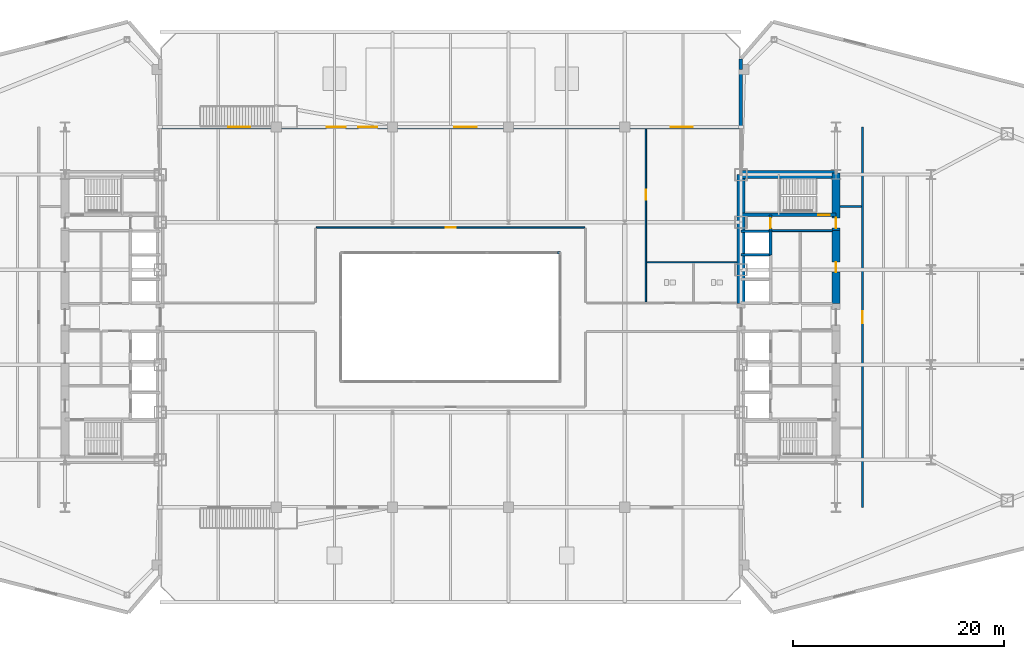
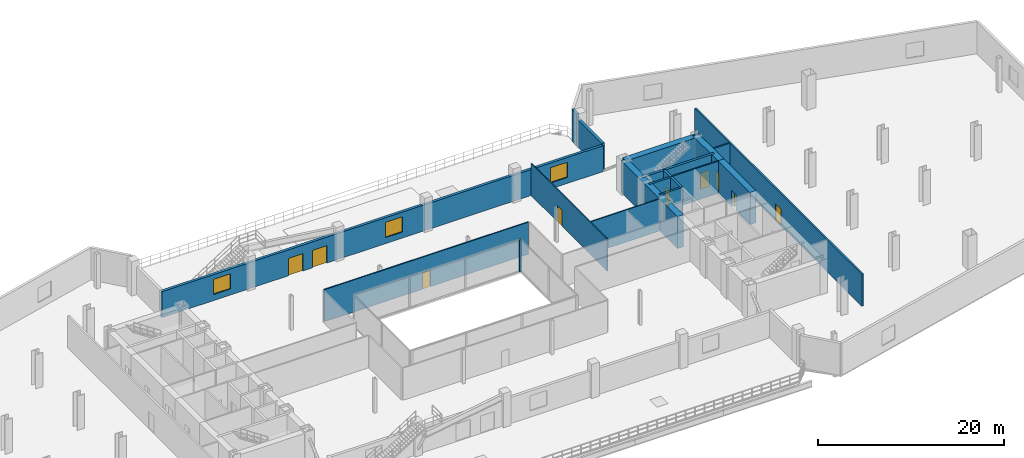
# One storey, part 21 of 27: 19 walls, 9 doors, 3 windows, 12 openings.
"""IFC4 building model written with IfcOpenShell, lengths in metres."""

from ifc_helpers import new_model, si_unit, direction, frame, frame_2d, origin, place, context, subcontext, project, spatial, rectangle, extrude, source, transform, mapped, material, layer, layer_set, type_object, type_shapes, element, fill, save


model = new_model("IFC4")

# Units and contexts
model_context = context("Model", 3, precision=1e-05, world=origin(), true_north=direction((0.0, 1.0)))
body_context = subcontext(model_context, "Body", "Model", "MODEL_VIEW")
ifc_project = project(units=[si_unit("LENGTHUNIT", "METRE"), si_unit("AREAUNIT", "SQUARE_METRE"), si_unit("VOLUMEUNIT", "CUBIC_METRE"), si_unit("PLANEANGLEUNIT", "RADIAN"), si_unit("MASSUNIT", "GRAM", prefix="KILO")], contexts=[model_context])

# Site, building, storey
site_placement = place(None, origin())
site = spatial("IfcSite", under=ifc_project, at=site_placement, CompositionType="ELEMENT")
building_placement = place(site_placement, origin())
building = spatial("IfcBuilding", under=site, at=building_placement, Name="Seokmaru Belvedere", CompositionType="ELEMENT")
storey_placement = place(building_placement, frame((0.0, 0.0, 9.89990234375)))
storey = spatial("IfcBuildingStorey", under=building, at=storey_placement, Name="L02", CompositionType="ELEMENT", Elevation=9.89990234375)

# Wall, opening, door
ifc_material_1 = material(Name="Fire-Rated Gypsum Shaftwall")
ifc_layer_1 = layer(ifc_material_1, 0.14990234375)
ifc_layer_set_1 = layer_set([ifc_layer_1], Name="Fire-Rated Gypsum Shaftwall")
wall_type_1 = type_object("IfcWallType", Name="Apartment Fire-Acoustic Room Partition 150", PredefinedType="PARTITIONING", material=ifc_layer_set_1)
wall_1_placement = place(storey_placement, frame((-12.715087890625, 8.5, 0.0), z_axis=(0.0, 0.0, 1.0), x_axis=(1.0, 0.0, 0.0)))
wall_1 = element("IfcWall", 1, at=wall_1_placement, inside=storey, type_object=wall_type_1, Name="L02 Interior Partition 009", PredefinedType="PARTITIONING", context=body_context, shape_type="SweptSolid", body=[
    extrude(rectangle(XDim=25.43017578125, YDim=0.14990234375, at=frame_2d((12.715087890625, 0.0))), origin(), (0.0, 0.0, 1.0), 4.22021484375),
])
opening_1_placement = place(wall_1_placement, frame((12.239990234375, 0.0, 0.0)))
opening_1 = element("IfcOpeningElement", 2, at=opening_1_placement, cuts=wall_1, Name="Opening D05", PredefinedType="OPENING", context=body_context, shape_type="SweptSolid", body=[
    extrude(rectangle(XDim=0.949951171875, YDim=2.14990234375, at=frame_2d((0.47509765625, 1.074951171875))), frame((0.0, 0.0849609375, 0.0), z_axis=(0.0, -1.0, 0.0), x_axis=(1.0, 0.0, 0.0)), (0.0, 0.0, 1.0), 0.169921875),
])
ifc_material_2 = material(Name="Engineered White Oak Timber", Category="wood")
door_type_1 = type_object("IfcDoorType", Name="Apartment Interior Fire-Rated Oak Door 950x2150", OperationType="NOTDEFINED", PredefinedType="DOOR", material=ifc_material_2)
shared_shape_1 = source(origin(), body_context, "Body", "SweptSolid", [
    extrude(rectangle(XDim=0.949951171875, YDim=2.14990234375, at=frame_2d((0.47509765625, 1.074951171875))), frame((0.0, 0.02490234375, 0.0), z_axis=(0.0, -1.0, 0.0), x_axis=(1.0, 0.0, 0.0)), (0.0, 0.0, 1.0), 0.050048828125),
])
type_shapes(door_type_1, [shared_shape_1])
door_1_placement = place(opening_1_placement, origin())
door_1 = element("IfcDoor", 3, at=door_1_placement, inside=storey, type_object=door_type_1, Name="L02 Interior Door 003", OperationType="SINGLE_SWING_LEFT", OverallHeight=2.14990234375, OverallWidth=0.949951171875, PredefinedType="DOOR", context=body_context, shape_type="MappedRepresentation", body=[
    mapped(shared_shape_1, transform((0.0, 0.0, 0.0), scale=1.0)),
])
fill(opening_1, door_1)

# Walls
ifc_material_3 = material(Name="Anodised Bronze Aluminium", Category="aluminium")
ifc_layer_2 = layer(ifc_material_3, 0.2099609375)
ifc_layer_set_2 = layer_set([ifc_layer_2], Name="Anodised Bronze Aluminium")
wall_type_2 = type_object("IfcWallType", Name="Bridge Column Spandrel Closure Pier 210", PredefinedType="SOLIDWALL", material=ifc_layer_set_2)
wall_2_placement = place(storey_placement, frame((10.39990234375, 6.10009765625, 0.0), z_axis=(0.0, 0.0, 1.0), x_axis=(-1.0, 0.0, 0.0)))
element("IfcWall", 4, at=wall_2_placement, inside=storey, type_object=wall_type_2, Name="L02 Atrium Corner Closure Pier 3", PredefinedType="SOLIDWALL", context=body_context, shape_type="SweptSolid", body=[
    extrude(rectangle(XDim=0.25, YDim=0.2099609375, at=frame_2d((0.125, 0.0))), origin(), (0.0, 0.0, 1.0), 4.22021484375),
])
ifc_layer_3 = layer(ifc_material_1, 0.179931640625)
ifc_layer_set_3 = layer_set([ifc_layer_3], Name="Fire-Rated Gypsum Shaftwall")
wall_type_3 = type_object("IfcWallType", Name="Core Service Fire Partition 180", PredefinedType="PARTITIONING", material=ifc_layer_set_3)
wall_3_placement = place(storey_placement, frame((30.449951171875, 8.199951171875, 0.0), z_axis=(0.0, 0.0, 1.0), x_axis=(1.0, 0.0, 0.0)))
element("IfcWall", 5, at=wall_3_placement, inside=storey, type_object=wall_type_3, Name="L02 East Smokeproof Vestibule Partition", PredefinedType="PARTITIONING", context=body_context, shape_type="SweptSolid", body=[
    extrude(rectangle(XDim=5.699951171875, YDim=0.179931640625, at=frame_2d((2.85009765625, 0.0))), origin(), (0.0, 0.0, 1.0), 4.22021484375),
])
ifc_material_4 = material(Name="Concrete C50 (50 MPa)", Category="concrete")
ifc_layer_4 = layer(ifc_material_4, 0.25)
ifc_layer_set_4 = layer_set([ifc_layer_4], Name="Concrete C50 (50 MPa)")
wall_type_4 = type_object("IfcWallType", Name="Hoistway Transverse Concrete Divider Wall 250", PredefinedType="SHEAR", material=ifc_layer_set_4)
for number, where, z_axis, x_axis, name in (
    (6, (27.5, 5.89990234375, 0.0), (0.0, 0.0, 1.0), (1.0, 0.0, 0.0), "L02 East Hoistway Divider Core Wall 6"),
    (7, (27.5, 8.14990234375, 0.0), (0.0, 0.0, 1.0), (1.0, 0.0, 0.0), "L02 East Hoistway Divider Core Wall 7"),
):
    element("IfcWall", number, at=place(storey_placement, frame(where, z_axis=z_axis, x_axis=x_axis)), inside=storey, type_object=wall_type_4, Name=name, PredefinedType="SHEAR", context=body_context, shape_type="SweptSolid", body=[
        extrude(rectangle(XDim=2.800048828125, YDim=0.25, at=frame_2d((1.39990234375, 0.0))), origin(), (0.0, 0.0, 1.0), 4.22021484375),
    ])
ifc_layer_5 = layer(ifc_material_1, 0.199951171875)
ifc_layer_set_5 = layer_set([ifc_layer_5], Name="Fire-Rated Gypsum Shaftwall")
wall_type_5 = type_object("IfcWallType", Name="Inter-Tenancy Fire Compartment Partition 200", PredefinedType="PARTITIONING", material=ifc_layer_set_5)
wall_4_placement = place(storey_placement, frame((36.8798828125, 10.5, 0.0), z_axis=(0.0, 0.0, 1.0), x_axis=(1.0, 0.0, 0.0)))
element("IfcWall", 8, at=wall_4_placement, inside=storey, type_object=wall_type_5, Name="L02 Interior Partition 011", PredefinedType="PARTITIONING", context=body_context, shape_type="SweptSolid", body=[
    extrude(rectangle(XDim=2.03515625, YDim=0.199951171875, at=frame_2d((1.017578125, 0.0))), origin(), (0.0, 0.0, 1.0), 4.22021484375),
])

# Wall, opening, door
wall_5_placement = place(storey_placement, frame((39.0, -18.0, 0.0), z_axis=(0.0, 0.0, 1.0), x_axis=(0.0, 1.0, 0.0)))
wall_5 = element("IfcWall", 9, at=wall_5_placement, inside=storey, type_object=wall_type_5, Name="L02 Interior Partition 019", PredefinedType="PARTITIONING", context=body_context, shape_type="SweptSolid", body=[
    extrude(rectangle(XDim=36.0, YDim=0.199951171875, at=frame_2d((18.0, 0.0))), origin(), (0.0, 0.0, 1.0), 4.22021484375),
])
opening_2_placement = place(wall_5_placement, frame((17.425048828125, 0.0, 0.0)))
opening_2 = element("IfcOpeningElement", 10, at=opening_2_placement, cuts=wall_5, Name="Opening D02", PredefinedType="OPENING", context=body_context, shape_type="SweptSolid", body=[
    extrude(rectangle(XDim=1.14990234375, YDim=2.199951171875, at=frame_2d((0.574951171875, 1.10009765625))), frame((0.0, 0.10986328125, 0.0), z_axis=(0.0, -1.0, 0.0), x_axis=(1.0, 0.0, 0.0)), (0.0, 0.0, 1.0), 0.219970703125),
])
ifc_material_5 = material(Name="Fire-Rated Steel Leaf", Category="steel")
door_type_2 = type_object("IfcDoorType", Name="Lobby and Vestibule Fire Door 1150x2200", OperationType="NOTDEFINED", PredefinedType="DOOR", material=ifc_material_5)
shared_shape_2 = source(origin(), body_context, "Body", "SweptSolid", [
    extrude(rectangle(XDim=1.14990234375, YDim=2.199951171875, at=frame_2d((0.574951171875, 1.10009765625))), frame((0.0, 0.02490234375, 0.0), z_axis=(0.0, -1.0, 0.0), x_axis=(1.0, 0.0, 0.0)), (0.0, 0.0, 1.0), 0.050048828125),
])
type_shapes(door_type_2, [shared_shape_2])
door_2_placement = place(opening_2_placement, origin())
door_2 = element("IfcDoor", 11, at=door_2_placement, inside=storey, type_object=door_type_2, Name="L02 Interior Door 002", OperationType="SINGLE_SWING_RIGHT", OverallHeight=2.199951171875, OverallWidth=1.14990234375, PredefinedType="DOOR", context=body_context, shape_type="MappedRepresentation", body=[
    mapped(shared_shape_2, transform((0.0, 0.0, 0.0), scale=1.0)),
])
fill(opening_2, door_2)

ifc_layer_6 = layer(ifc_material_4, 0.300048828125)
ifc_layer_set_6 = layer_set([ifc_layer_6], Name="Concrete C50 (50 MPa)")
wall_type_6 = type_object("IfcWallType", Name="Internal Core Stair and Hoistway Wall 300", PredefinedType="SHEAR", material=ifc_layer_set_6)
wall_6_placement = place(storey_placement, frame((27.5, 9.699951171875, 0.0), z_axis=(0.0, 0.0, 1.0), x_axis=(1.0, 0.0, 0.0)))
wall_6 = element("IfcWall", 12, at=wall_6_placement, inside=storey, type_object=wall_type_6, Name="L02 East Stair ST-2 Enclosure Wall", PredefinedType="SHEAR", context=body_context, shape_type="SweptSolid", body=[
    extrude(rectangle(XDim=9.0, YDim=0.300048828125, at=frame_2d((4.5, 0.0))), origin(), (0.0, 0.0, 1.0), 4.22021484375),
])
opening_3_placement = place(wall_6_placement, frame((7.300048828125, 0.0, 0.0)))
opening_3 = element("IfcOpeningElement", 13, at=opening_3_placement, cuts=wall_6, Name="Opening D01", PredefinedType="OPENING", context=body_context, shape_type="SweptSolid", body=[
    extrude(rectangle(XDim=1.10009765625, YDim=2.199951171875, at=frame_2d((0.550048828125, 1.10009765625))), frame((0.0, 0.16015625, 0.0), z_axis=(0.0, -1.0, 0.0), x_axis=(1.0, 0.0, 0.0)), (0.0, 0.0, 1.0), 0.320068359375),
])
door_type_3 = type_object("IfcDoorType", Name="Special Escape Stair Smokeproof Fire Door 1100x2200", OperationType="NOTDEFINED", PredefinedType="DOOR", material=ifc_material_5)
shared_shape_3 = source(origin(), body_context, "Body", "SweptSolid", [
    extrude(rectangle(XDim=1.10009765625, YDim=2.199951171875, at=frame_2d((0.550048828125, 1.10009765625))), frame((0.0, 0.02490234375, 0.0), z_axis=(0.0, -1.0, 0.0), x_axis=(1.0, 0.0, 0.0)), (0.0, 0.0, 1.0), 0.050048828125),
])
type_shapes(door_type_3, [shared_shape_3])
door_3_placement = place(opening_3_placement, origin())
door_3 = element("IfcDoor", 14, at=door_3_placement, inside=storey, type_object=door_type_3, Name="L02 East Special Escape Stair ST-2 Door", OperationType="SINGLE_SWING_LEFT", OverallHeight=2.199951171875, OverallWidth=1.10009765625, PredefinedType="DOOR", context=body_context, shape_type="MappedRepresentation", body=[
    mapped(shared_shape_3, transform((0.0, 0.0, 0.0), scale=1.0)),
])
fill(opening_3, door_3)

# Wall
wall_7_placement = place(storey_placement, frame((30.300048828125, 5.89990234375, 0.0), z_axis=(0.0, 0.0, 1.0), x_axis=(0.0, 1.0, 0.0)))
element("IfcWall", 15, at=wall_7_placement, inside=storey, type_object=wall_type_6, Name="L02 East North Hoistway Wall OBS", PredefinedType="SHEAR", context=body_context, shape_type="SweptSolid", body=[
    extrude(rectangle(XDim=2.25, YDim=0.300048828125, at=frame_2d((1.125, 0.0))), origin(), (0.0, 0.0, 1.0), 4.22021484375),
])

# Wall, opening, door
wall_8_placement = place(storey_placement, frame((30.300048828125, 8.14990234375, 0.0), z_axis=(0.0, 0.0, 1.0), x_axis=(0.0, 1.0, 0.0)))
wall_8 = element("IfcWall", 16, at=wall_8_placement, inside=storey, type_object=wall_type_6, Name="L02 East Electrical Riser Front Wall", PredefinedType="SHEAR", context=body_context, shape_type="SweptSolid", body=[
    extrude(rectangle(XDim=1.530029296875, YDim=0.300048828125, at=frame_2d((0.76513671875, 0.0))), origin(), (0.0, 0.0, 1.0), 4.22021484375),
])
opening_4_placement = place(wall_8_placement, frame((0.284912109375, 0.0, 0.0)))
opening_4 = element("IfcOpeningElement", 17, at=opening_4_placement, cuts=wall_8, Name="Opening D04", PredefinedType="OPENING", context=body_context, shape_type="SweptSolid", body=[
    extrude(rectangle(XDim=0.949951171875, YDim=2.14990234375, at=frame_2d((0.47509765625, 1.074951171875))), frame((0.0, 0.16015625, 0.0), z_axis=(0.0, -1.0, 0.0), x_axis=(1.0, 0.0, 0.0)), (0.0, 0.0, 1.0), 0.320068359375),
])
door_type_4 = type_object("IfcDoorType", Name="Core Service Room Fire Door 950x2150", OperationType="NOTDEFINED", PredefinedType="DOOR", material=ifc_material_5)
shared_shape_4 = source(origin(), body_context, "Body", "SweptSolid", [
    extrude(rectangle(XDim=0.949951171875, YDim=2.14990234375, at=frame_2d((0.47509765625, 1.074951171875))), frame((0.0, 0.02490234375, 0.0), z_axis=(0.0, -1.0, 0.0), x_axis=(1.0, 0.0, 0.0)), (0.0, 0.0, 1.0), 0.050048828125),
])
type_shapes(door_type_4, [shared_shape_4])
door_4_placement = place(opening_4_placement, origin())
door_4 = element("IfcDoor", 18, at=door_4_placement, inside=storey, type_object=door_type_4, Name="L02 East Electrical Riser Access Door", OperationType="SINGLE_SWING_RIGHT", OverallHeight=2.14990234375, OverallWidth=0.949951171875, PredefinedType="DOOR", context=body_context, shape_type="MappedRepresentation", body=[
    mapped(shared_shape_4, transform((0.0, 0.0, 0.0), scale=1.0)),
])
fill(opening_4, door_4)

# Walls
ifc_material_6 = material(Name="Concrete C60 (60 MPa)", Category="concrete")
ifc_layer_7 = layer(ifc_material_6, 0.75)
ifc_layer_set_7 = layer_set([ifc_layer_7], Name="Concrete C60 (60 MPa)")
wall_type_7 = type_object("IfcWallType", Name="Lower Tower Reinforced Concrete Core Wall 750", PredefinedType="SHEAR", material=ifc_layer_set_7)
wall_9_placement = place(storey_placement, frame((27.5, 1.300048828125, 0.0), z_axis=(0.0, 0.0, 1.0), x_axis=(0.0, 1.0, 0.0)))
element("IfcWall", 19, at=wall_9_placement, inside=storey, type_object=wall_type_7, Name="L02 East Portal Spine Core Wall North", PredefinedType="SHEAR", context=body_context, shape_type="SweptSolid", body=[
    extrude(rectangle(XDim=12.199951171875, YDim=0.75, at=frame_2d((6.10009765625, 0.0))), origin(), (0.0, 0.0, 1.0), 4.22021484375),
])
wall_10_placement = place(storey_placement, frame((27.5, 13.5, 0.0), z_axis=(0.0, 0.0, 1.0), x_axis=(1.0, 0.0, 0.0)))
element("IfcWall", 20, at=wall_10_placement, inside=storey, type_object=wall_type_7, Name="L02 East North Core Wall", PredefinedType="SHEAR", context=body_context, shape_type="SweptSolid", body=[
    extrude(rectangle(XDim=9.0, YDim=0.75, at=frame_2d((4.5, 0.0))), origin(), (0.0, 0.0, 1.0), 4.22021484375),
])

# Wall, opening, door
wall_11_placement = place(storey_placement, frame((36.5, 8.199951171875, 0.0), z_axis=(0.0, 0.0, 1.0), x_axis=(0.0, 1.0, 0.0)))
wall_11 = element("IfcWall", 21, at=wall_11_placement, inside=storey, type_object=wall_type_7, Name="L02 East West Core Wall VST", PredefinedType="SHEAR", context=body_context, shape_type="SweptSolid", body=[
    extrude(rectangle(XDim=5.449951171875, YDim=0.75, at=frame_2d((2.72509765625, 0.0))), origin(), (0.0, 0.0, 1.0), 4.22021484375),
])
opening_5_placement = place(wall_11_placement, frame((0.2451171875, 0.0, 0.0)))
opening_5 = element("IfcOpeningElement", 22, at=opening_5_placement, cuts=wall_11, Name="Opening D04", PredefinedType="OPENING", context=body_context, shape_type="SweptSolid", body=[
    extrude(rectangle(XDim=0.949951171875, YDim=2.14990234375, at=frame_2d((0.47509765625, 1.074951171875))), frame((0.0, 0.385009765625, 0.0), z_axis=(0.0, -1.0, 0.0), x_axis=(1.0, 0.0, 0.0)), (0.0, 0.0, 1.0), 0.77001953125),
])
door_5_placement = place(opening_5_placement, origin())
door_5 = element("IfcDoor", 23, at=door_5_placement, inside=storey, type_object=door_type_4, Name="L02 East Smokeproof Vestibule Door", OperationType="SINGLE_SWING_LEFT", OverallHeight=2.14990234375, OverallWidth=0.949951171875, PredefinedType="DOOR", context=body_context, shape_type="MappedRepresentation", body=[
    mapped(shared_shape_4, transform((0.0, 0.0, 0.0), scale=1.0)),
])
fill(opening_5, door_5)

wall_12_placement = place(storey_placement, frame((36.5, 1.300048828125, 0.0), z_axis=(0.0, 0.0, 1.0), x_axis=(0.0, 1.0, 0.0)))
wall_12 = element("IfcWall", 24, at=wall_12_placement, inside=storey, type_object=wall_type_7, Name="L02 East West Core Wall CS2", PredefinedType="SHEAR", context=body_context, shape_type="SweptSolid", body=[
    extrude(rectangle(XDim=6.89990234375, YDim=0.75, at=frame_2d((3.449951171875, 0.0))), origin(), (0.0, 0.0, 1.0), 4.22021484375),
])
opening_6_placement = place(wall_12_placement, frame((2.97509765625, 0.0, 0.0)))
opening_6 = element("IfcOpeningElement", 25, at=opening_6_placement, cuts=wall_12, Name="Opening D04", PredefinedType="OPENING", context=body_context, shape_type="SweptSolid", body=[
    extrude(rectangle(XDim=0.949951171875, YDim=2.14990234375, at=frame_2d((0.47509765625, 1.074951171875))), frame((0.0, 0.385009765625, 0.0), z_axis=(0.0, -1.0, 0.0), x_axis=(1.0, 0.0, 0.0)), (0.0, 0.0, 1.0), 0.77001953125),
])
door_6_placement = place(opening_6_placement, origin())
door_6 = element("IfcDoor", 26, at=door_6_placement, inside=storey, type_object=door_type_4, Name="L02 East Core Service Room Door 2", OperationType="SINGLE_SWING_LEFT", OverallHeight=2.14990234375, OverallWidth=0.949951171875, PredefinedType="DOOR", context=body_context, shape_type="MappedRepresentation", body=[
    mapped(shared_shape_4, transform((0.0, 0.0, 0.0), scale=1.0)),
])
fill(opening_6, door_6)

# Wall
ifc_layer_8 = layer(ifc_material_1, 0.1298828125)
ifc_layer_set_8 = layer_set([ifc_layer_8], Name="Fire-Rated Gypsum Shaftwall")
wall_type_8 = type_object("IfcWallType", Name="Moisture-Resistant Fire-Rated Bathroom Partition 130", PredefinedType="PARTITIONING", material=ifc_layer_set_8)
wall_13_placement = place(storey_placement, frame((18.5849609375, 5.199951171875, 0.0), z_axis=(0.0, 0.0, 1.0), x_axis=(1.0, 0.0, 0.0)))
element("IfcWall", 27, at=wall_13_placement, inside=storey, type_object=wall_type_8, Name="L02 Interior Partition 008", PredefinedType="PARTITIONING", context=body_context, shape_type="SweptSolid", body=[
    extrude(rectangle(XDim=8.53515625, YDim=0.1298828125, at=frame_2d((4.267578125, 0.0))), origin(), (0.0, 0.0, 1.0), 4.22021484375),
])

# Wall, opening, door
wall_14_placement = place(storey_placement, frame((18.5, 1.43505859375, 0.0), z_axis=(0.0, 0.0, 1.0), x_axis=(0.0, 1.0, 0.0)))
wall_14 = element("IfcWall", 28, at=wall_14_placement, inside=storey, type_object=wall_type_8, Name="L02 Interior Partition 017", PredefinedType="PARTITIONING", context=body_context, shape_type="SweptSolid", body=[
    extrude(rectangle(XDim=16.39990234375, YDim=0.1298828125, at=frame_2d((8.199951171875, 0.0))), origin(), (0.0, 0.0, 1.0), 4.22021484375),
])
opening_7_placement = place(wall_14_placement, frame((9.68994140625, 0.0, 0.0)))
opening_7 = element("IfcOpeningElement", 29, at=opening_7_placement, cuts=wall_14, Name="Opening D05", PredefinedType="OPENING", context=body_context, shape_type="SweptSolid", body=[
    extrude(rectangle(XDim=0.949951171875, YDim=2.14990234375, at=frame_2d((0.47509765625, 1.074951171875))), frame((0.0, 0.074951171875, 0.0), z_axis=(0.0, -1.0, 0.0), x_axis=(1.0, 0.0, 0.0)), (0.0, 0.0, 1.0), 0.14990234375),
])
door_7_placement = place(opening_7_placement, origin())
door_7 = element("IfcDoor", 30, at=door_7_placement, inside=storey, type_object=door_type_1, Name="L02 Interior Door 007", OperationType="SINGLE_SWING_LEFT", OverallHeight=2.14990234375, OverallWidth=0.949951171875, PredefinedType="DOOR", context=body_context, shape_type="MappedRepresentation", body=[
    mapped(shared_shape_1, transform((0.0, 0.0, 0.0), scale=1.0)),
])
fill(opening_7, door_7)

# Walls
ifc_material_7 = material(Name="Concrete C40 (40 MPa)", Category="concrete")
ifc_layer_9 = layer(ifc_material_7, 0.320068359375)
ifc_layer_set_9 = layer_set([ifc_layer_9], Name="Concrete C40 (40 MPa)")
wall_type_9 = type_object("IfcWallType", Name="Podium Terrace Insulated Wall 320", PredefinedType="SOLIDWALL", material=ifc_layer_set_9)
wall_15_placement = place(storey_placement, frame((27.5, 18.0, 0.0), z_axis=(0.0, 0.0, 1.0), x_axis=(0.0, 1.0, 0.0)))
element("IfcWall", 31, at=wall_15_placement, inside=storey, type_object=wall_type_9, Name="L02 Exterior Podium Spine Wall 11N", PredefinedType="SOLIDWALL", context=body_context, shape_type="SweptSolid", body=[
    extrude(rectangle(XDim=5.47607421875, YDim=0.320068359375, at=frame_2d((2.738037109375, 0.0))), origin(), (0.0, 0.0, 1.0), 3.632080078125),
])
wall_16_placement = place(storey_placement, frame((27.5, 23.47607421875, 0.0), z_axis=(0.0, 0.0, 1.0), x_axis=(0.0, 1.0, 0.0)))
element("IfcWall", 32, at=wall_16_placement, inside=storey, type_object=wall_type_9, Name="L02 Exterior Podium Spine Wall 11N Part 2", PredefinedType="SOLIDWALL", context=body_context, shape_type="SweptSolid", body=[
    extrude(rectangle(XDim=0.973876953125, YDim=0.320068359375, at=frame_2d((0.48681640625, 0.0))), origin(), (0.0, 0.0, 1.0), 4.22021484375),
])

# Wall, openings, doors, windows
wall_17_placement = place(storey_placement, frame((27.4599609375, 18.0, 0.0), z_axis=(0.0, 0.0, 1.0), x_axis=(-1.0, 0.0, 0.0)))
wall_17 = element("IfcWall", 33, at=wall_17_placement, inside=storey, type_object=wall_type_9, Name="L02 Exterior Podium Wall 12", PredefinedType="SOLIDWALL", context=body_context, shape_type="SweptSolid", body=[
    extrude(rectangle(XDim=54.919921875, YDim=0.320068359375, at=frame_2d((27.4599609375, 0.0))), origin(), (0.0, 0.0, 1.0), 3.420166015625),
])
opening_8_placement = place(wall_17_placement, frame((34.39990234375, 0.0, 0.0)))
opening_8 = element("IfcOpeningElement", 34, at=opening_8_placement, cuts=wall_17, Name="Opening DX3", PredefinedType="OPENING", context=body_context, shape_type="SweptSolid", body=[
    extrude(rectangle(XDim=1.800048828125, YDim=2.300048828125, at=frame_2d((0.89990234375, 1.14990234375))), frame((0.0, 0.169921875, 0.0), z_axis=(0.0, -1.0, 0.0), x_axis=(1.0, 0.0, 0.0)), (0.0, 0.0, 1.0), 0.340087890625),
])
opening_9_placement = place(wall_17_placement, frame((37.39990234375, 0.0, 0.0)))
opening_9 = element("IfcOpeningElement", 35, at=opening_9_placement, cuts=wall_17, Name="Opening DX3", PredefinedType="OPENING", context=body_context, shape_type="SweptSolid", body=[
    extrude(rectangle(XDim=1.800048828125, YDim=2.300048828125, at=frame_2d((0.89990234375, 1.14990234375))), frame((0.0, 0.169921875, 0.0), z_axis=(0.0, -1.0, 0.0), x_axis=(1.0, 0.0, 0.0)), (0.0, 0.0, 1.0), 0.340087890625),
])
opening_10_placement = place(wall_17_placement, frame((4.5, 0.0, 0.800048828125)))
opening_10 = element("IfcOpeningElement", 36, at=opening_10_placement, cuts=wall_17, Name="Opening WN6", PredefinedType="OPENING", context=body_context, shape_type="SweptSolid", body=[
    extrude(rectangle(XDim=2.10009765625, YDim=2.0, at=frame_2d((1.050048828125, 1.0))), frame((0.0, 0.169921875, 0.0), z_axis=(0.0, -1.0, 0.0), x_axis=(1.0, 0.0, 0.0)), (0.0, 0.0, 1.0), 0.340087890625),
])
opening_11_placement = place(wall_17_placement, frame((25.0, 0.0, 0.800048828125)))
opening_11 = element("IfcOpeningElement", 37, at=opening_11_placement, cuts=wall_17, Name="Opening WN6", PredefinedType="OPENING", context=body_context, shape_type="SweptSolid", body=[
    extrude(rectangle(XDim=2.10009765625, YDim=2.0, at=frame_2d((1.050048828125, 1.0))), frame((0.0, 0.169921875, 0.0), z_axis=(0.0, -1.0, 0.0), x_axis=(1.0, 0.0, 0.0)), (0.0, 0.0, 1.0), 0.340087890625),
])
opening_12_placement = place(wall_17_placement, frame((46.419921875, 0.0, 0.800048828125)))
opening_12 = element("IfcOpeningElement", 38, at=opening_12_placement, cuts=wall_17, Name="Opening WN6", PredefinedType="OPENING", context=body_context, shape_type="SweptSolid", body=[
    extrude(rectangle(XDim=2.10009765625, YDim=2.0, at=frame_2d((1.050048828125, 1.0))), frame((0.0, 0.169921875, 0.0), z_axis=(0.0, -1.0, 0.0), x_axis=(1.0, 0.0, 0.0)), (0.0, 0.0, 1.0), 0.340087890625),
])
door_type_5 = type_object("IfcDoorType", Name="Cascading Terrace Glazed Double Door 1800x2300", OperationType="DOUBLE_SWING_LEFT", PredefinedType="DOOR", material=ifc_material_3)
shared_shape_5 = source(origin(), body_context, "Body", "SweptSolid", [
    extrude(rectangle(XDim=1.800048828125, YDim=2.300048828125, at=frame_2d((0.89990234375, 1.14990234375))), frame((0.0, 0.02490234375, 0.0), z_axis=(0.0, -1.0, 0.0), x_axis=(1.0, 0.0, 0.0)), (0.0, 0.0, 1.0), 0.050048828125),
])
type_shapes(door_type_5, [shared_shape_5])
door_8_placement = place(opening_8_placement, frame((1.800048828125, 0.0, 0.0), z_axis=(0.0, 0.0, 1.0), x_axis=(-1.0, 0.0, 0.0)))
door_8 = element("IfcDoor", 39, at=door_8_placement, inside=storey, type_object=door_type_5, Name="L02 North Garden Terrace Access Door 1", OperationType="DOUBLE_SWING_LEFT", OverallHeight=2.300048828125, OverallWidth=1.800048828125, PredefinedType="DOOR", context=body_context, shape_type="MappedRepresentation", body=[
    mapped(shared_shape_5, transform((0.0, 0.0, 0.0), scale=1.0)),
])
fill(opening_8, door_8)
door_9_placement = place(opening_9_placement, frame((1.800048828125, 0.0, 0.0), z_axis=(0.0, 0.0, 1.0), x_axis=(-1.0, 0.0, 0.0)))
door_9 = element("IfcDoor", 40, at=door_9_placement, inside=storey, type_object=door_type_5, Name="L02 North Garden Terrace Access Door 2", OperationType="DOUBLE_SWING_LEFT", OverallHeight=2.300048828125, OverallWidth=1.800048828125, PredefinedType="DOOR", context=body_context, shape_type="MappedRepresentation", body=[
    mapped(shared_shape_5, transform((0.0, 0.0, 0.0), scale=1.0)),
])
fill(opening_9, door_9)
ifc_material_8 = material(Name="Bronze Triple Insulating Glass", Category="glass")
window_type = type_object("IfcWindowType", Name="Club Reading Room Window 2100x2000", PartitioningType="SINGLE_PANEL", PredefinedType="WINDOW", material=ifc_material_8)
shared_shape_6 = source(origin(), body_context, "Body", "SweptSolid", [
    extrude(rectangle(XDim=2.10009765625, YDim=2.0, at=frame_2d((1.050048828125, 1.0))), frame((0.0, 0.030029296875, 0.0), z_axis=(0.0, -1.0, 0.0), x_axis=(1.0, 0.0, 0.0)), (0.0, 0.0, 1.0), 0.06005859375),
])
type_shapes(window_type, [shared_shape_6])
window_1_placement = place(opening_10_placement, origin())
window_1 = element("IfcWindow", 41, at=window_1_placement, inside=storey, type_object=window_type, Name="L02 North Terrace Window 1", OverallHeight=2.0, OverallWidth=2.10009765625, PartitioningType="SINGLE_PANEL", PredefinedType="WINDOW", context=body_context, shape_type="MappedRepresentation", body=[
    mapped(shared_shape_6, transform((0.0, 0.0, 0.0), scale=1.0)),
])
fill(opening_10, window_1)
window_2_placement = place(opening_11_placement, origin())
window_2 = element("IfcWindow", 42, at=window_2_placement, inside=storey, type_object=window_type, Name="L02 North Terrace Window 2", OverallHeight=2.0, OverallWidth=2.10009765625, PartitioningType="SINGLE_PANEL", PredefinedType="WINDOW", context=body_context, shape_type="MappedRepresentation", body=[
    mapped(shared_shape_6, transform((0.0, 0.0, 0.0), scale=1.0)),
])
fill(opening_11, window_2)
window_3_placement = place(opening_12_placement, origin())
window_3 = element("IfcWindow", 43, at=window_3_placement, inside=storey, type_object=window_type, Name="L02 North Terrace Window 3", OverallHeight=2.0, OverallWidth=2.10009765625, PartitioningType="SINGLE_PANEL", PredefinedType="WINDOW", context=body_context, shape_type="MappedRepresentation", body=[
    mapped(shared_shape_6, transform((0.0, 0.0, 0.0), scale=1.0)),
])
fill(opening_12, window_3)

save(model, "model.ifc")
